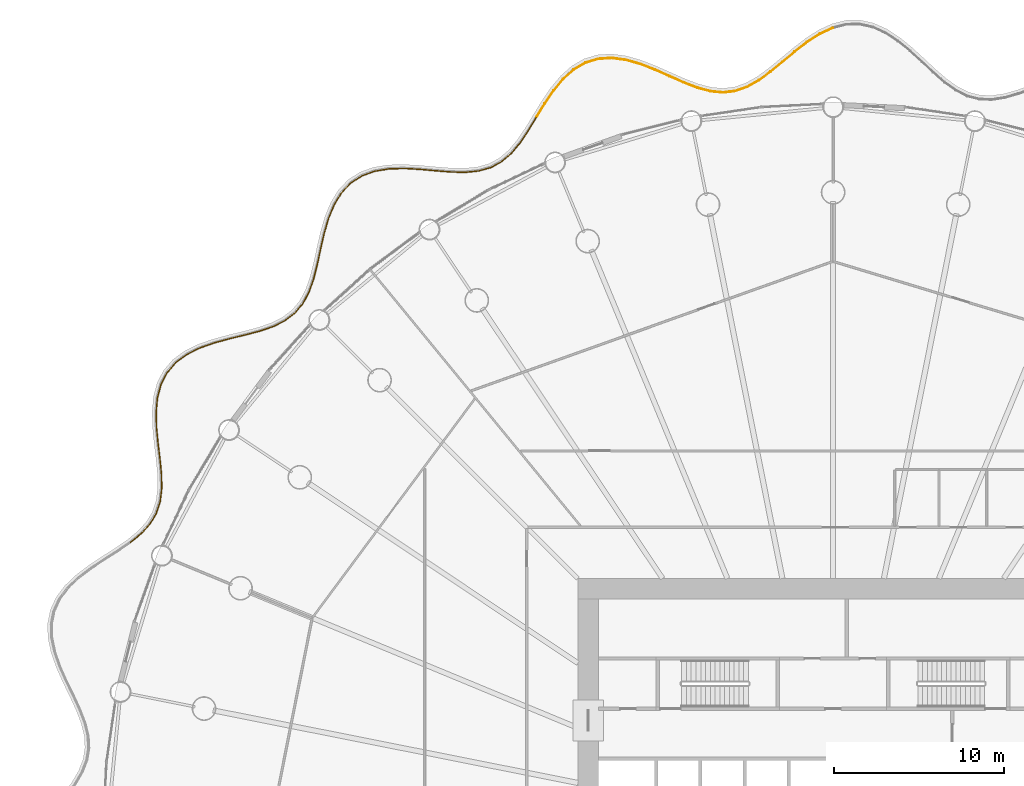
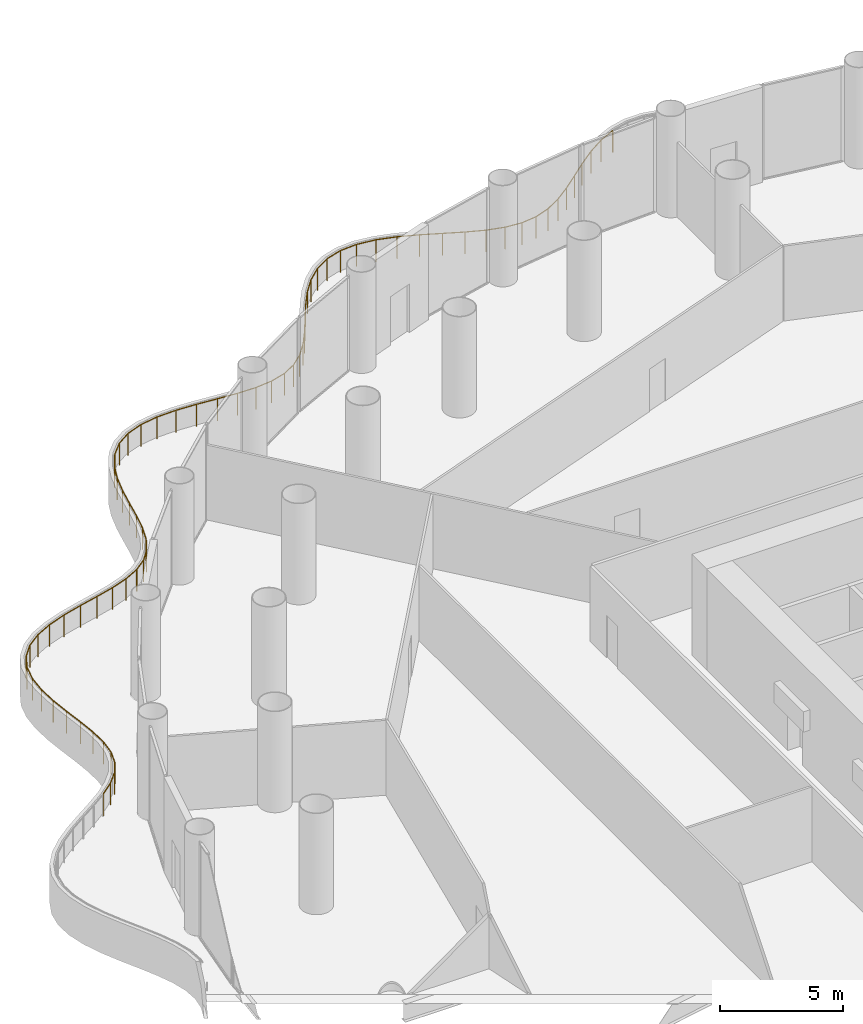
# One storey, part 35 of 36: 3 railings.
"""IFC4 building model written with IfcOpenShell, lengths in metres."""

from ifc_helpers import new_model, si_unit, direction, frame, origin, origin_2d, place, context, subcontext, project, spatial, circle, extrude, material, type_object, element, save


model = new_model("IFC4")

# Units and contexts
model_context = context("Model", 3, precision=1e-05, world=origin(), true_north=direction((0.0, 1.0)))
body_context = subcontext(model_context, "Body", "Model", "MODEL_VIEW")
ifc_project = project(units=[si_unit("LENGTHUNIT", "METRE"), si_unit("AREAUNIT", "SQUARE_METRE"), si_unit("VOLUMEUNIT", "CUBIC_METRE"), si_unit("PLANEANGLEUNIT", "RADIAN"), si_unit("MASSUNIT", "GRAM", prefix="KILO")], contexts=[model_context])

# Site, building, storey
site_placement = place(None, origin())
site = spatial("IfcSite", under=ifc_project, at=site_placement, CompositionType="ELEMENT")
building_placement = place(site_placement, origin())
building = spatial("IfcBuilding", under=site, at=building_placement, Name="Corvane Civic Tower", CompositionType="ELEMENT")
storey_placement = place(building_placement, frame((0.0, 0.0, 17.0)))
storey = spatial("IfcBuildingStorey", under=building, at=storey_placement, Name="L03", CompositionType="ELEMENT", Elevation=17.0)

# Railings
ifc_material = material(Name="Steel ASTM A572 Gr 50", Category="steel")
railing_type = type_object("IfcRailingType", Name="PODIUM-RL-GUARD-1100", PredefinedType="GUARDRAIL", material=ifc_material)
railing_1_placement = place(storey_placement, frame((-0.022705078125, 47.3583984375, 0.0)))
element("IfcRailing", 1, at=railing_1_placement, inside=storey, type_object=railing_type, Name="L03 ribbon guard 1", PredefinedType="GUARDRAIL", context=body_context, shape_type="SweptSolid", body=[
    extrude(circle(Radius=0.02392578125, at=origin_2d()), frame((0.0, 0.0, 1.076171875), z_axis=(-0.907324409664, -0.420431225799, 0.0), x_axis=(0.420431225799, -0.907324409664, 0.0)), (0.0, 0.0, 1.0), 0.82275390625),
    extrude(circle(Radius=0.02392578125, at=origin_2d()), frame((-0.74658203125, -0.345947265625, 1.076171875), z_axis=(-0.841196176534, -0.540730055188, 0.0), x_axis=(0.540730055188, -0.841196176534, 0.0)), (0.0, 0.0, 1.0), 0.896240234375),
    extrude(circle(Radius=0.02392578125, at=origin_2d()), frame((-1.50048828125, -0.83056640625, 1.076171875), z_axis=(-0.791302351532, -0.611425047295, 0.0), x_axis=(0.611425047295, -0.791302351532, 0.0)), (0.0, 0.0, 1.0), 0.928466796875),
    extrude(circle(Radius=0.02392578125, at=origin_2d()), frame((-2.235107421875, -1.398193359375, 1.076171875), z_axis=(-0.766889482405, -0.641779184593, 0.0), x_axis=(0.641779184593, -0.766889482405, 0.0)), (0.0, 0.0, 1.0), 0.932861328125),
    extrude(circle(Radius=0.02392578125, at=origin_2d()), frame((-2.950439453125, -1.996826171875, 1.076171875), z_axis=(-0.771634514187, -0.636066173064, 0.0), x_axis=(0.636066173064, -0.771634514187, 0.0)), (0.0, 0.0, 1.0), 0.90576171875),
    extrude(circle(Radius=0.02392578125, at=origin_2d()), frame((-3.6494140625, -2.572998046875, 1.076171875), z_axis=(-0.807522128628, -0.589837275675, 0.0), x_axis=(0.589837275675, -0.807522128628, 0.0)), (0.0, 0.0, 1.0), 0.853515625),
    extrude(circle(Radius=0.02392578125, at=origin_2d()), frame((-4.338623046875, -3.076416015625, 1.076171875), z_axis=(-0.870741119423, -0.491741703484, 0.0), x_axis=(0.491741703484, -0.870741119423, 0.0)), (0.0, 0.0, 1.0), 0.790283203125),
    extrude(circle(Radius=0.02392578125, at=origin_2d()), frame((-5.02685546875, -3.465087890625, 1.076171875), z_axis=(-0.94357461907, -0.331159988899, 0.0), x_axis=(0.331159988899, -0.94357461907, 0.0)), (0.0, 0.0, 1.0), 0.73876953125),
    extrude(circle(Radius=0.02392578125, at=origin_2d()), frame((-5.723876953125, -3.709716796875, 1.076171875), z_axis=(-0.992820610222, -0.119612858501, 0.0), x_axis=(0.119612858501, -0.992820610222, 0.0)), (0.0, 0.0, 1.0), 0.720458984375),
    extrude(circle(Radius=0.02392578125, at=origin_2d()), frame((-6.439208984375, -3.7958984375, 1.076171875), z_axis=(-0.995658937757, 0.093076740725, 0.0), x_axis=(-0.093076740725, -0.995658937757, 0.0)), (0.0, 0.0, 1.0), 0.744873046875),
    extrude(circle(Radius=0.02392578125, at=origin_2d()), frame((-7.180908203125, -3.7265625, 1.076171875), z_axis=(-0.96610313067, 0.25815642721, 0.0), x_axis=(-0.25815642721, -0.96610313067, 0.0)), (0.0, 0.0, 1.0), 0.800048828125),
    extrude(circle(Radius=0.02392578125, at=origin_2d()), frame((-7.953857421875, -3.52001953125, 1.076171875), z_axis=(-0.933009799905, 0.359850959818, 0.0), x_axis=(-0.359850959818, -0.933009799905, 0.0)), (0.0, 0.0, 1.0), 0.863037109375),
    extrude(circle(Radius=0.02392578125, at=origin_2d()), frame((-8.759033203125, -3.20947265625, 1.076171875), z_axis=(-0.913844660096, 0.406063957049, 0.0), x_axis=(-0.406063957049, -0.913844660096, 0.0)), (0.0, 0.0, 1.0), 0.912109375),
    extrude(circle(Radius=0.02392578125, at=origin_2d()), frame((-9.592529296875, -2.839111328125, 1.076171875), z_axis=(-0.913736108534, 0.406308163789, 0.0), x_axis=(-0.406308163789, -0.913736108534, 0.0)), (0.0, 0.0, 1.0), 0.934326171875),
    extrude(circle(Radius=0.02392578125, at=origin_2d()), frame((-10.4462890625, -2.45947265625, 1.076171875), z_axis=(-0.931717084753, 0.363184903292, 0.0), x_axis=(-0.363184903292, -0.931717084753, 0.0)), (0.0, 0.0, 1.0), 0.925048828125),
    extrude(circle(Radius=0.02392578125, at=origin_2d()), frame((-11.30810546875, -2.12353515625, 1.076171875), z_axis=(-0.961730877869, 0.273995836744, 0.0), x_axis=(-0.273995836744, -0.961730877869, 0.0)), (0.0, 0.0, 1.0), 0.88916015625),
    extrude(circle(Radius=0.02392578125, at=origin_2d()), frame((-12.163330078125, -1.8798828125, 1.076171875), z_axis=(-0.991366996164, 0.131116280138, 0.0), x_axis=(-0.131116280138, -0.991366996164, 0.0)), (0.0, 0.0, 1.0), 0.83984375),
    extrude(circle(Radius=0.02392578125, at=origin_2d()), frame((-12.995849609375, -1.769775390625, 1.076171875), z_axis=(-0.99788702308, -0.064972987989, 0.0), x_axis=(0.064972987989, -0.99788702308, 0.0)), (0.0, 0.0, 1.0), 0.796630859375),
    extrude(circle(Radius=0.02392578125, at=origin_2d()), frame((-13.790771484375, -1.821533203125, 1.076171875), z_axis=(-0.956259035842, -0.292521206702, 0.0), x_axis=(0.292521206702, -0.956259035842, 0.0)), (0.0, 0.0, 1.0), 0.77880859375),
    extrude(circle(Radius=0.02392578125, at=origin_2d()), frame((-14.535400390625, -2.04931640625, 1.076171875), z_axis=(-0.862998140135, -0.505207096271, 0.0), x_axis=(0.505207096271, -0.862998140135, 0.0)), (0.0, 0.0, 1.0), 0.794921875),
    extrude(circle(Radius=0.02392578125, at=origin_2d()), frame((-15.221435546875, -2.450927734375, 1.076171875), z_axis=(-0.74592731357, -0.66602735895, 0.0), x_axis=(0.66602735895, -0.74592731357, 0.0)), (0.0, 0.0, 1.0), 0.837158203125),
    extrude(circle(Radius=0.02392578125, at=origin_2d()), frame((-15.845947265625, -3.008544921875, 1.076171875), z_axis=(-0.639290308686, -0.76896547466, 0.0), x_axis=(0.76896547466, -0.639290308686, 0.0)), (0.0, 0.0, 1.0), 0.88671875),
    extrude(circle(Radius=0.02392578125, at=origin_2d()), frame((-16.412841796875, -3.6904296875, 1.076171875), z_axis=(-0.561695319823, -0.827344165199, 0.0), x_axis=(0.827344165199, -0.561695319823, 0.0)), (0.0, 0.0, 1.0), 0.923583984375),
    extrude(circle(Radius=0.02392578125, at=origin_2d()), frame((-16.931640625, -4.45458984375, 1.076171875), z_axis=(-0.520679001191, -0.853752527211, 0.0), x_axis=(0.853752527211, -0.520679001191, 0.0)), (0.0, 0.0, 1.0), 0.90966796875),
    extrude(circle(Radius=0.02099609375, at=origin_2d()), origin(), (0.0, 0.0, 1.0), 1.052001953125),
    extrude(circle(Radius=0.02099609375, at=origin_2d()), frame((-0.74658203125, -0.345947265625, 0.0)), (0.0, 0.0, 1.0), 1.052001953125),
    extrude(circle(Radius=0.02099609375, at=origin_2d()), frame((-1.50048828125, -0.83056640625, 0.0)), (0.0, 0.0, 1.0), 1.052001953125),
    extrude(circle(Radius=0.02099609375, at=origin_2d()), frame((-2.235107421875, -1.398193359375, 0.0)), (0.0, 0.0, 1.0), 1.052001953125),
    extrude(circle(Radius=0.02099609375, at=origin_2d()), frame((-2.950439453125, -1.996826171875, 0.0)), (0.0, 0.0, 1.0), 1.052001953125),
    extrude(circle(Radius=0.02099609375, at=origin_2d()), frame((-3.6494140625, -2.572998046875, 0.0)), (0.0, 0.0, 1.0), 1.052001953125),
    extrude(circle(Radius=0.02099609375, at=origin_2d()), frame((-4.338623046875, -3.076416015625, 0.0)), (0.0, 0.0, 1.0), 1.052001953125),
    extrude(circle(Radius=0.02099609375, at=origin_2d()), frame((-5.02685546875, -3.465087890625, 0.0)), (0.0, 0.0, 1.0), 1.052001953125),
    extrude(circle(Radius=0.02099609375, at=origin_2d()), frame((-5.723876953125, -3.709716796875, 0.0)), (0.0, 0.0, 1.0), 1.052001953125),
    extrude(circle(Radius=0.02099609375, at=origin_2d()), frame((-6.439208984375, -3.7958984375, 0.0)), (0.0, 0.0, 1.0), 1.052001953125),
    extrude(circle(Radius=0.02099609375, at=origin_2d()), frame((-7.180908203125, -3.7265625, 0.0)), (0.0, 0.0, 1.0), 1.052001953125),
    extrude(circle(Radius=0.02099609375, at=origin_2d()), frame((-7.953857421875, -3.52001953125, 0.0)), (0.0, 0.0, 1.0), 1.052001953125),
    extrude(circle(Radius=0.02099609375, at=origin_2d()), frame((-8.759033203125, -3.20947265625, 0.0)), (0.0, 0.0, 1.0), 1.052001953125),
    extrude(circle(Radius=0.02099609375, at=origin_2d()), frame((-9.592529296875, -2.839111328125, 0.0)), (0.0, 0.0, 1.0), 1.052001953125),
    extrude(circle(Radius=0.02099609375, at=origin_2d()), frame((-10.4462890625, -2.45947265625, 0.0)), (0.0, 0.0, 1.0), 1.052001953125),
    extrude(circle(Radius=0.02099609375, at=origin_2d()), frame((-11.30810546875, -2.12353515625, 0.0)), (0.0, 0.0, 1.0), 1.052001953125),
    extrude(circle(Radius=0.02099609375, at=origin_2d()), frame((-12.163330078125, -1.8798828125, 0.0)), (0.0, 0.0, 1.0), 1.052001953125),
    extrude(circle(Radius=0.02099609375, at=origin_2d()), frame((-12.995849609375, -1.769775390625, 0.0)), (0.0, 0.0, 1.0), 1.052001953125),
    extrude(circle(Radius=0.02099609375, at=origin_2d()), frame((-13.790771484375, -1.821533203125, 0.0)), (0.0, 0.0, 1.0), 1.052001953125),
    extrude(circle(Radius=0.02099609375, at=origin_2d()), frame((-14.535400390625, -2.04931640625, 0.0)), (0.0, 0.0, 1.0), 1.052001953125),
    extrude(circle(Radius=0.02099609375, at=origin_2d()), frame((-15.221435546875, -2.450927734375, 0.0)), (0.0, 0.0, 1.0), 1.052001953125),
    extrude(circle(Radius=0.02099609375, at=origin_2d()), frame((-15.845947265625, -3.008544921875, 0.0)), (0.0, 0.0, 1.0), 1.052001953125),
    extrude(circle(Radius=0.02099609375, at=origin_2d()), frame((-16.412841796875, -3.6904296875, 0.0)), (0.0, 0.0, 1.0), 1.052001953125),
    extrude(circle(Radius=0.02099609375, at=origin_2d()), frame((-16.931640625, -4.45458984375, 0.0)), (0.0, 0.0, 1.0), 1.052001953125),
    extrude(circle(Radius=0.02099609375, at=origin_2d()), frame((-17.4052734375, -5.231201171875, 0.0)), (0.0, 0.0, 1.0), 1.052001953125),
])
railing_2_placement = place(storey_placement, frame((-17.453857421875, 42.084716796875, 0.0)))
element("IfcRailing", 2, at=railing_2_placement, inside=storey, type_object=railing_type, Name="L03 ribbon guard 2", PredefinedType="GUARDRAIL", context=body_context, shape_type="SweptSolid", body=[
    extrude(circle(Radius=0.02392578125, at=origin_2d()), frame((0.0, 0.0, 1.076171875), z_axis=(-0.518326053625, -0.855183081061, 0.0), x_axis=(0.855183081061, -0.518326053625, 0.0)), (0.0, 0.0, 1.0), 0.88916015625),
    extrude(circle(Radius=0.02392578125, at=origin_2d()), frame((-0.4609375, -0.760498046875, 1.076171875), z_axis=(-0.558339046952, -0.829612866733, 0.0), x_axis=(0.829612866733, -0.558339046952, 0.0)), (0.0, 0.0, 1.0), 0.86572265625),
    extrude(circle(Radius=0.02392578125, at=origin_2d()), frame((-0.9443359375, -1.478759765625, 1.076171875), z_axis=(-0.641408912395, -0.767199196493, 0.0), x_axis=(0.767199196493, -0.641408912395, 0.0)), (0.0, 0.0, 1.0), 0.803466796875),
    extrude(circle(Radius=0.02392578125, at=origin_2d()), frame((-1.459716796875, -2.09521484375, 1.076171875), z_axis=(-0.758495167123, -0.651678664259, 0.0), x_axis=(0.651678664259, -0.758495167123, 0.0)), (0.0, 0.0, 1.0), 0.747314453125),
    extrude(circle(Radius=0.02392578125, at=origin_2d()), frame((-2.026611328125, -2.582275390625, 1.076171875), z_axis=(-0.878593615519, -0.477570161096, 0.0), x_axis=(0.477570161096, -0.878593615519, 0.0)), (0.0, 0.0, 1.0), 0.720703125),
    extrude(circle(Radius=0.02392578125, at=origin_2d()), frame((-2.659912109375, -2.926513671875, 1.076171875), z_axis=(-0.961135284274, -0.276077824759, 0.0), x_axis=(0.276077824759, -0.961135284274, 0.0)), (0.0, 0.0, 1.0), 0.736572265625),
    extrude(circle(Radius=0.02392578125, at=origin_2d()), frame((-3.367919921875, -3.1298828125, 1.076171875), z_axis=(-0.99500027102, -0.099872221717, 0.0), x_axis=(0.099872221717, -0.99500027102, 0.0)), (0.0, 0.0, 1.0), 0.787109375),
    extrude(circle(Radius=0.02392578125, at=origin_2d()), frame((-4.151123046875, -3.20849609375, 1.076171875), z_axis=(-0.999797988108, 0.020099327733, 0.0), x_axis=(-0.020099327733, -0.999797988108, 0.0)), (0.0, 0.0, 1.0), 0.850341796875),
    extrude(circle(Radius=0.02392578125, at=origin_2d()), frame((-5.001220703125, -3.19140625, 1.076171875), z_axis=(-0.996709608451, 0.081055267697, 0.0), x_axis=(-0.081055267697, -0.996709608451, 0.0)), (0.0, 0.0, 1.0), 0.903564453125),
    extrude(circle(Radius=0.02392578125, at=origin_2d()), frame((-5.90185546875, -3.1181640625, 1.076171875), z_axis=(-0.995813388911, 0.09140948783, 0.0), x_axis=(-0.09140948783, -0.995813388911, 0.0)), (0.0, 0.0, 1.0), 0.93212890625),
    extrude(circle(Radius=0.02392578125, at=origin_2d()), frame((-6.830078125, -3.032958984375, 1.076171875), z_axis=(-0.998506081569, 0.054640690599, 0.0), x_axis=(-0.054640690599, -0.998506081569, 0.0)), (0.0, 0.0, 1.0), 0.929443359375),
    extrude(circle(Radius=0.02392578125, at=origin_2d()), frame((-7.758056640625, -2.982177734375, 1.076171875), z_axis=(-0.999577328884, -0.029071697252, 0.0), x_axis=(0.029071697252, -0.999577328884, 0.0)), (0.0, 0.0, 1.0), 0.898681640625),
    extrude(circle(Radius=0.02392578125, at=origin_2d()), frame((-8.65625, -3.00830078125, 1.076171875), z_axis=(-0.986571775873, -0.163328292253, 0.0), x_axis=(0.163328292253, -0.986571775873, 0.0)), (0.0, 0.0, 1.0), 0.8505859375),
    extrude(circle(Radius=0.02392578125, at=origin_2d()), frame((-9.495361328125, -3.147216796875, 1.076171875), z_axis=(-0.939180191042, -0.343424764329, 0.0), x_axis=(0.343424764329, -0.939180191042, 0.0)), (0.0, 0.0, 1.0), 0.803955078125),
    extrude(circle(Radius=0.02392578125, at=origin_2d()), frame((-10.25048828125, -3.42333984375, 1.076171875), z_axis=(-0.837928150466, -0.545780555404, 0.0), x_axis=(0.545780555404, -0.837928150466, 0.0)), (0.0, 0.0, 1.0), 0.77978515625),
    extrude(circle(Radius=0.02392578125, at=origin_2d()), frame((-10.90380859375, -3.848876953125, 1.076171875), z_axis=(-0.687177777686, -0.726489299202, 0.0), x_axis=(0.726489299202, -0.687177777686, 0.0)), (0.0, 0.0, 1.0), 0.788818359375),
    extrude(circle(Radius=0.02392578125, at=origin_2d()), frame((-11.44580078125, -4.421875, 1.076171875), z_axis=(-0.522202059576, -0.852821792038, 0.0), x_axis=(0.852821792038, -0.522202059576, 0.0)), (0.0, 0.0, 1.0), 0.8271484375),
    extrude(circle(Radius=0.02392578125, at=origin_2d()), frame((-11.877685546875, -5.127197265625, 1.076171875), z_axis=(-0.379825245493, -0.925058259185, 0.0), x_axis=(0.925058259185, -0.379825245493, 0.0)), (0.0, 0.0, 1.0), 0.876708984375),
    extrude(circle(Radius=0.02392578125, at=origin_2d()), frame((-12.210693359375, -5.938232421875, 1.076171875), z_axis=(-0.278232456959, -0.960513768717, 0.0), x_axis=(0.960513768717, -0.278232456959, 0.0)), (0.0, 0.0, 1.0), 0.917724609375),
    extrude(circle(Radius=0.02392578125, at=origin_2d()), frame((-12.466064453125, -6.81982421875, 1.076171875), z_axis=(-0.221463071094, -0.975168758801, 0.0), x_axis=(0.975168758801, -0.221463071094, 0.0)), (0.0, 0.0, 1.0), 0.934814453125),
    extrude(circle(Radius=0.02392578125, at=origin_2d()), frame((-12.673095703125, -7.7314453125, 1.076171875), z_axis=(-0.20945666103, -0.977817931493, 0.0), x_axis=(0.977817931493, -0.20945666103, 0.0)), (0.0, 0.0, 1.0), 0.9208984375),
    extrude(circle(Radius=0.02392578125, at=origin_2d()), frame((-12.865966796875, -8.6318359375, 1.076171875), z_axis=(-0.244694089906, -0.969600331253, 0.0), x_axis=(0.969600331253, -0.244694089906, 0.0)), (0.0, 0.0, 1.0), 0.8779296875),
    extrude(circle(Radius=0.02392578125, at=origin_2d()), frame((-13.080810546875, -9.483154296875, 1.076171875), z_axis=(-0.332319844026, -0.94316675157, 0.0), x_axis=(0.94316675157, -0.332319844026, 0.0)), (0.0, 0.0, 1.0), 0.81689453125),
    extrude(circle(Radius=0.02392578125, at=origin_2d()), frame((-13.352294921875, -10.253662109375, 1.076171875), z_axis=(-0.471314690588, -0.88196511407, 0.0), x_axis=(0.88196511407, -0.471314690588, 0.0)), (0.0, 0.0, 1.0), 0.732421875),
    extrude(circle(Radius=0.02099609375, at=origin_2d()), origin(), (0.0, 0.0, 1.0), 1.052001953125),
    extrude(circle(Radius=0.02099609375, at=origin_2d()), frame((-0.4609375, -0.760498046875, 0.0)), (0.0, 0.0, 1.0), 1.052001953125),
    extrude(circle(Radius=0.02099609375, at=origin_2d()), frame((-0.9443359375, -1.478759765625, 0.0)), (0.0, 0.0, 1.0), 1.052001953125),
    extrude(circle(Radius=0.02099609375, at=origin_2d()), frame((-1.459716796875, -2.09521484375, 0.0)), (0.0, 0.0, 1.0), 1.052001953125),
    extrude(circle(Radius=0.02099609375, at=origin_2d()), frame((-2.026611328125, -2.582275390625, 0.0)), (0.0, 0.0, 1.0), 1.052001953125),
    extrude(circle(Radius=0.02099609375, at=origin_2d()), frame((-2.659912109375, -2.926513671875, 0.0)), (0.0, 0.0, 1.0), 1.052001953125),
    extrude(circle(Radius=0.02099609375, at=origin_2d()), frame((-3.367919921875, -3.1298828125, 0.0)), (0.0, 0.0, 1.0), 1.052001953125),
    extrude(circle(Radius=0.02099609375, at=origin_2d()), frame((-4.151123046875, -3.20849609375, 0.0)), (0.0, 0.0, 1.0), 1.052001953125),
    extrude(circle(Radius=0.02099609375, at=origin_2d()), frame((-5.001220703125, -3.19140625, 0.0)), (0.0, 0.0, 1.0), 1.052001953125),
    extrude(circle(Radius=0.02099609375, at=origin_2d()), frame((-5.90185546875, -3.1181640625, 0.0)), (0.0, 0.0, 1.0), 1.052001953125),
    extrude(circle(Radius=0.02099609375, at=origin_2d()), frame((-6.830078125, -3.032958984375, 0.0)), (0.0, 0.0, 1.0), 1.052001953125),
    extrude(circle(Radius=0.02099609375, at=origin_2d()), frame((-7.758056640625, -2.982177734375, 0.0)), (0.0, 0.0, 1.0), 1.052001953125),
    extrude(circle(Radius=0.02099609375, at=origin_2d()), frame((-8.65625, -3.00830078125, 0.0)), (0.0, 0.0, 1.0), 1.052001953125),
    extrude(circle(Radius=0.02099609375, at=origin_2d()), frame((-9.495361328125, -3.147216796875, 0.0)), (0.0, 0.0, 1.0), 1.052001953125),
    extrude(circle(Radius=0.02099609375, at=origin_2d()), frame((-10.25048828125, -3.42333984375, 0.0)), (0.0, 0.0, 1.0), 1.052001953125),
    extrude(circle(Radius=0.02099609375, at=origin_2d()), frame((-10.90380859375, -3.848876953125, 0.0)), (0.0, 0.0, 1.0), 1.052001953125),
    extrude(circle(Radius=0.02099609375, at=origin_2d()), frame((-11.44580078125, -4.421875, 0.0)), (0.0, 0.0, 1.0), 1.052001953125),
    extrude(circle(Radius=0.02099609375, at=origin_2d()), frame((-11.877685546875, -5.127197265625, 0.0)), (0.0, 0.0, 1.0), 1.052001953125),
    extrude(circle(Radius=0.02099609375, at=origin_2d()), frame((-12.210693359375, -5.938232421875, 0.0)), (0.0, 0.0, 1.0), 1.052001953125),
    extrude(circle(Radius=0.02099609375, at=origin_2d()), frame((-12.466064453125, -6.81982421875, 0.0)), (0.0, 0.0, 1.0), 1.052001953125),
    extrude(circle(Radius=0.02099609375, at=origin_2d()), frame((-12.673095703125, -7.7314453125, 0.0)), (0.0, 0.0, 1.0), 1.052001953125),
    extrude(circle(Radius=0.02099609375, at=origin_2d()), frame((-12.865966796875, -8.6318359375, 0.0)), (0.0, 0.0, 1.0), 1.052001953125),
    extrude(circle(Radius=0.02099609375, at=origin_2d()), frame((-13.080810546875, -9.483154296875, 0.0)), (0.0, 0.0, 1.0), 1.052001953125),
    extrude(circle(Radius=0.02099609375, at=origin_2d()), frame((-13.352294921875, -10.253662109375, 0.0)), (0.0, 0.0, 1.0), 1.052001953125),
    extrude(circle(Radius=0.02099609375, at=origin_2d()), frame((-13.697509765625, -10.899658203125, 0.0)), (0.0, 0.0, 1.0), 1.052001953125),
])
railing_3_placement = place(storey_placement, frame((-31.17919921875, 31.143798828125, 0.0)))
element("IfcRailing", 3, at=railing_3_placement, inside=storey, type_object=railing_type, Name="L03 ribbon guard 3", PredefinedType="GUARDRAIL", context=body_context, shape_type="SweptSolid", body=[
    extrude(circle(Radius=0.02392578125, at=origin_2d()), frame((0.0, 0.0, 1.076171875), z_axis=(-0.640562840792, -0.767905753981, 0.0), x_axis=(0.767905753981, -0.640562840792, 0.0)), (0.0, 0.0, 1.0), 0.69775390625),
    extrude(circle(Radius=0.02392578125, at=origin_2d()), frame((-0.447021484375, -0.535888671875, 1.076171875), z_axis=(-0.793654806349, -0.608368349241, 0.0), x_axis=(0.608368349241, -0.793654806349, 0.0)), (0.0, 0.0, 1.0), 0.72998046875),
    extrude(circle(Radius=0.02392578125, at=origin_2d()), frame((-1.0263671875, -0.97998046875, 1.076171875), z_axis=(-0.894364132119, -0.447339691039, 0.0), x_axis=(0.447339691039, -0.894364132119, 0.0)), (0.0, 0.0, 1.0), 0.7744140625),
    extrude(circle(Radius=0.02392578125, at=origin_2d()), frame((-1.718994140625, -1.326416015625, 1.076171875), z_axis=(-0.945666987633, -0.325136815051, 0.0), x_axis=(0.325136815051, -0.945666987633, 0.0)), (0.0, 0.0, 1.0), 0.837158203125),
    extrude(circle(Radius=0.02392578125, at=origin_2d()), frame((-2.5107421875, -1.5986328125, 1.076171875), z_axis=(-0.966996669681, -0.254789012373, 0.0), x_axis=(0.254789012373, -0.966996669681, 0.0)), (0.0, 0.0, 1.0), 0.89404296875),
    extrude(circle(Radius=0.02392578125, at=origin_2d()), frame((-3.375244140625, -1.826416015625, 1.076171875), z_axis=(-0.97192484401, -0.235291516199, 0.0), x_axis=(0.235291516199, -0.97192484401, 0.0)), (0.0, 0.0, 1.0), 0.9287109375),
    extrude(circle(Radius=0.02392578125, at=origin_2d()), frame((-4.27783203125, -2.044921875, 1.076171875), z_axis=(-0.965281385945, -0.261212262249, 0.0), x_axis=(0.261212262249, -0.965281385945, 0.0)), (0.0, 0.0, 1.0), 0.932861328125),
    extrude(circle(Radius=0.02392578125, at=origin_2d()), frame((-5.17822265625, -2.28857421875, 1.076171875), z_axis=(-0.943387294832, -0.331693249781, 0.0), x_axis=(0.331693249781, -0.943387294832, 0.0)), (0.0, 0.0, 1.0), 0.90673828125),
    extrude(circle(Radius=0.02392578125, at=origin_2d()), frame((-6.03369140625, -2.58935546875, 1.076171875), z_axis=(-0.895163202273, -0.445738534677, 0.0), x_axis=(0.445738534677, -0.895163202273, 0.0)), (0.0, 0.0, 1.0), 0.861083984375),
    extrude(circle(Radius=0.02392578125, at=origin_2d()), frame((-6.804443359375, -2.97314453125, 1.076171875), z_axis=(-0.803339019645, -0.59552197232, 0.0), x_axis=(0.59552197232, -0.803339019645, 0.0)), (0.0, 0.0, 1.0), 0.81298828125),
    extrude(circle(Radius=0.02392578125, at=origin_2d()), frame((-7.45751953125, -3.457275390625, 1.076171875), z_axis=(-0.65371739994, -0.756738766693, 0.0), x_axis=(0.756738766693, -0.65371739994, 0.0)), (0.0, 0.0, 1.0), 0.781982421875),
    extrude(circle(Radius=0.02392578125, at=origin_2d()), frame((-7.96875, -4.049072265625, 1.076171875), z_axis=(-0.457770141422, -0.889070580788, 0.0), x_axis=(0.889070580788, -0.457770141422, 0.0)), (0.0, 0.0, 1.0), 0.783935546875),
    extrude(circle(Radius=0.02392578125, at=origin_2d()), frame((-8.32763671875, -4.74609375, 1.076171875), z_axis=(-0.25593360182, -0.966694363002, 0.0), x_axis=(0.966694363002, -0.25593360182, 0.0)), (0.0, 0.0, 1.0), 0.817626953125),
    extrude(circle(Radius=0.02392578125, at=origin_2d()), frame((-8.536865234375, -5.536376953125, 1.076171875), z_axis=(-0.087918482012, -0.996127672801, 0.0), x_axis=(0.996127672801, -0.087918482012, 0.0)), (0.0, 0.0, 1.0), 0.866455078125),
    extrude(circle(Radius=0.02392578125, at=origin_2d()), frame((-8.613037109375, -6.3994140625, 1.076171875), z_axis=(0.030029369603, -0.999549016788, 0.0), x_axis=(0.999549016788, 0.030029369603, 0.0)), (0.0, 0.0, 1.0), 0.91064453125),
    extrude(circle(Radius=0.02392578125, at=origin_2d()), frame((-8.585693359375, -7.3095703125, 1.076171875), z_axis=(0.09883063936, -0.995104268267, 0.0), x_axis=(0.995104268267, 0.09883063936, 0.0)), (0.0, 0.0, 1.0), 0.933837890625),
    extrude(circle(Radius=0.02392578125, at=origin_2d()), frame((-8.493408203125, -8.23876953125, 1.076171875), z_axis=(0.120693375254, -0.992689835331, 0.0), x_axis=(0.992689835331, 0.120693375254, 0.0)), (0.0, 0.0, 1.0), 0.926513671875),
    extrude(circle(Radius=0.02392578125, at=origin_2d()), frame((-8.381591796875, -9.158447265625, 1.076171875), z_axis=(0.095288563637, -0.995449692169, 0.0), x_axis=(0.995449692169, 0.095288563637, 0.0)), (0.0, 0.0, 1.0), 0.88916015625),
    extrude(circle(Radius=0.02392578125, at=origin_2d()), frame((-8.296875, -10.04345703125, 1.076171875), z_axis=(0.016174354489, -0.999869186572, 0.0), x_axis=(0.999869186572, 0.016174354489, 0.0)), (0.0, 0.0, 1.0), 0.830078125),
    extrude(circle(Radius=0.02392578125, at=origin_2d()), frame((-8.283447265625, -10.87353515625, 1.076171875), z_axis=(-0.122901158581, -0.992418916194, 0.0), x_axis=(0.992418916194, -0.122901158581, 0.0)), (0.0, 0.0, 1.0), 0.768798828125),
    extrude(circle(Radius=0.02392578125, at=origin_2d()), frame((-8.3779296875, -11.636474609375, 1.076171875), z_axis=(-0.313001886117, -0.949752504228, 0.0), x_axis=(0.949752504228, -0.313001886117, 0.0)), (0.0, 0.0, 1.0), 0.72705078125),
    extrude(circle(Radius=0.02392578125, at=origin_2d()), frame((-8.60546875, -12.326904296875, 1.076171875), z_axis=(-0.514594803967, -0.857433488809, 0.0), x_axis=(0.857433488809, -0.514594803967, 0.0)), (0.0, 0.0, 1.0), 0.724853515625),
    extrude(circle(Radius=0.02392578125, at=origin_2d()), frame((-8.978515625, -12.948486328125, 1.076171875), z_axis=(-0.674550053428, -0.738229114449, 0.0), x_axis=(0.738229114449, -0.674550053428, 0.0)), (0.0, 0.0, 1.0), 0.762939453125),
    extrude(circle(Radius=0.02392578125, at=origin_2d()), frame((-9.4931640625, -13.51171875, 1.076171875), z_axis=(-0.774868960763, -0.632121897774, 0.0), x_axis=(0.632121897774, -0.774868960763, 0.0)), (0.0, 0.0, 1.0), 0.798828125),
    extrude(circle(Radius=0.02099609375, at=origin_2d()), origin(), (0.0, 0.0, 1.0), 1.052001953125),
    extrude(circle(Radius=0.02099609375, at=origin_2d()), frame((-0.447021484375, -0.535888671875, 0.0)), (0.0, 0.0, 1.0), 1.052001953125),
    extrude(circle(Radius=0.02099609375, at=origin_2d()), frame((-1.0263671875, -0.97998046875, 0.0)), (0.0, 0.0, 1.0), 1.052001953125),
    extrude(circle(Radius=0.02099609375, at=origin_2d()), frame((-1.718994140625, -1.326416015625, 0.0)), (0.0, 0.0, 1.0), 1.052001953125),
    extrude(circle(Radius=0.02099609375, at=origin_2d()), frame((-2.5107421875, -1.5986328125, 0.0)), (0.0, 0.0, 1.0), 1.052001953125),
    extrude(circle(Radius=0.02099609375, at=origin_2d()), frame((-3.375244140625, -1.826416015625, 0.0)), (0.0, 0.0, 1.0), 1.052001953125),
    extrude(circle(Radius=0.02099609375, at=origin_2d()), frame((-4.27783203125, -2.044921875, 0.0)), (0.0, 0.0, 1.0), 1.052001953125),
    extrude(circle(Radius=0.02099609375, at=origin_2d()), frame((-5.17822265625, -2.28857421875, 0.0)), (0.0, 0.0, 1.0), 1.052001953125),
    extrude(circle(Radius=0.02099609375, at=origin_2d()), frame((-6.03369140625, -2.58935546875, 0.0)), (0.0, 0.0, 1.0), 1.052001953125),
    extrude(circle(Radius=0.02099609375, at=origin_2d()), frame((-6.804443359375, -2.97314453125, 0.0)), (0.0, 0.0, 1.0), 1.052001953125),
    extrude(circle(Radius=0.02099609375, at=origin_2d()), frame((-7.45751953125, -3.457275390625, 0.0)), (0.0, 0.0, 1.0), 1.052001953125),
    extrude(circle(Radius=0.02099609375, at=origin_2d()), frame((-7.96875, -4.049072265625, 0.0)), (0.0, 0.0, 1.0), 1.052001953125),
    extrude(circle(Radius=0.02099609375, at=origin_2d()), frame((-8.32763671875, -4.74609375, 0.0)), (0.0, 0.0, 1.0), 1.052001953125),
    extrude(circle(Radius=0.02099609375, at=origin_2d()), frame((-8.536865234375, -5.536376953125, 0.0)), (0.0, 0.0, 1.0), 1.052001953125),
    extrude(circle(Radius=0.02099609375, at=origin_2d()), frame((-8.613037109375, -6.3994140625, 0.0)), (0.0, 0.0, 1.0), 1.052001953125),
    extrude(circle(Radius=0.02099609375, at=origin_2d()), frame((-8.585693359375, -7.3095703125, 0.0)), (0.0, 0.0, 1.0), 1.052001953125),
    extrude(circle(Radius=0.02099609375, at=origin_2d()), frame((-8.493408203125, -8.23876953125, 0.0)), (0.0, 0.0, 1.0), 1.052001953125),
    extrude(circle(Radius=0.02099609375, at=origin_2d()), frame((-8.381591796875, -9.158447265625, 0.0)), (0.0, 0.0, 1.0), 1.052001953125),
    extrude(circle(Radius=0.02099609375, at=origin_2d()), frame((-8.296875, -10.04345703125, 0.0)), (0.0, 0.0, 1.0), 1.052001953125),
    extrude(circle(Radius=0.02099609375, at=origin_2d()), frame((-8.283447265625, -10.87353515625, 0.0)), (0.0, 0.0, 1.0), 1.052001953125),
    extrude(circle(Radius=0.02099609375, at=origin_2d()), frame((-8.3779296875, -11.636474609375, 0.0)), (0.0, 0.0, 1.0), 1.052001953125),
    extrude(circle(Radius=0.02099609375, at=origin_2d()), frame((-8.60546875, -12.326904296875, 0.0)), (0.0, 0.0, 1.0), 1.052001953125),
    extrude(circle(Radius=0.02099609375, at=origin_2d()), frame((-8.978515625, -12.948486328125, 0.0)), (0.0, 0.0, 1.0), 1.052001953125),
    extrude(circle(Radius=0.02099609375, at=origin_2d()), frame((-9.4931640625, -13.51171875, 0.0)), (0.0, 0.0, 1.0), 1.052001953125),
    extrude(circle(Radius=0.02099609375, at=origin_2d()), frame((-10.112060546875, -14.0166015625, 0.0)), (0.0, 0.0, 1.0), 1.052001953125),
])

save(model, "model.ifc")
